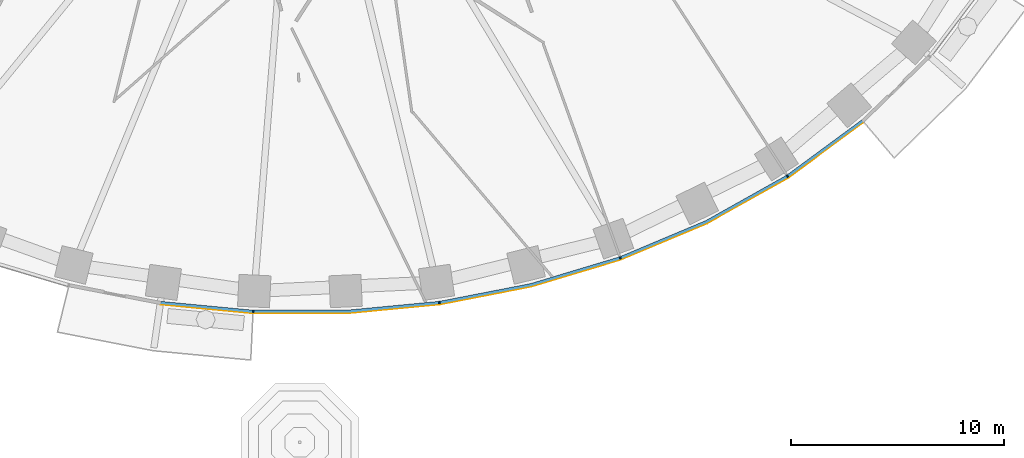
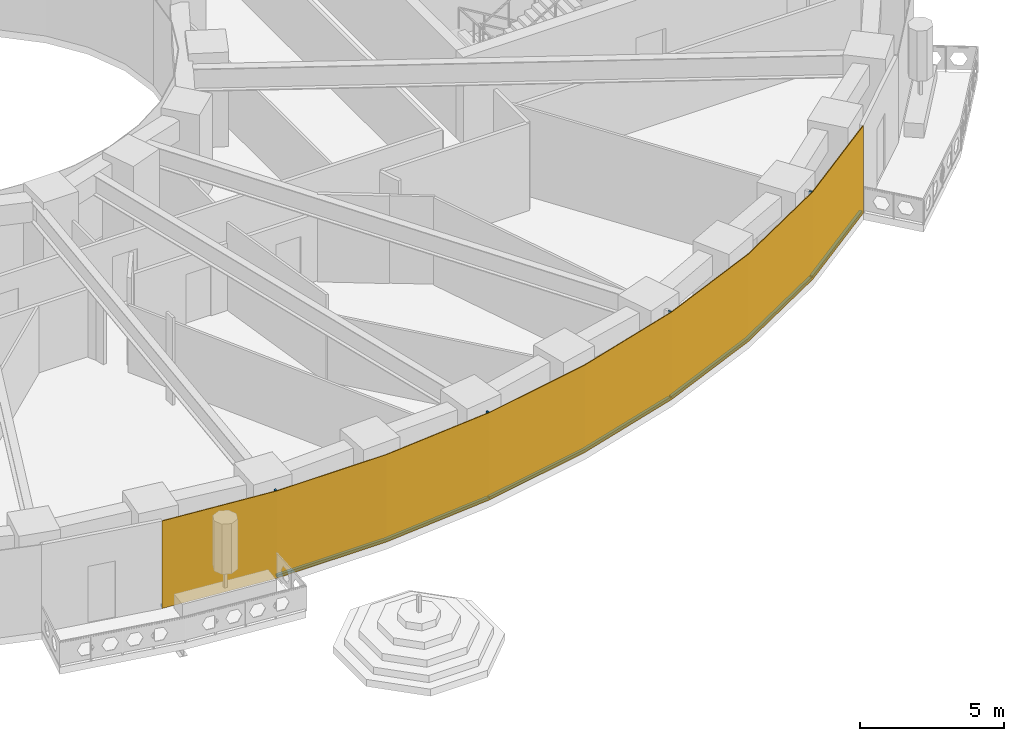
# One storey, part 9 of 20: 9 members, 1 curtain wall.
"""IFC4 building model written with IfcOpenShell, lengths in metres."""

from ifc_helpers import new_model, si_unit, direction, frame, origin, origin_2d, place, context, subcontext, project, spatial, polyline, rectangle, outline, extrude, material, layer, layer_set, material_profile, profile_set, type_object, element, aggregate, save


model = new_model("IFC4")

# Units and contexts
model_context = context("Model", 3, precision=1e-05, world=origin(), true_north=direction((0.0, 1.0)))
body_context = subcontext(model_context, "Body", "Model", "MODEL_VIEW")
ifc_project = project(units=[si_unit("LENGTHUNIT", "METRE"), si_unit("AREAUNIT", "SQUARE_METRE"), si_unit("VOLUMEUNIT", "CUBIC_METRE"), si_unit("PLANEANGLEUNIT", "RADIAN"), si_unit("MASSUNIT", "GRAM", prefix="KILO")], contexts=[model_context])

# Member
ifc_material_1 = material(Name="Aluminium 6063-T6 black anodised", Category="aluminium")
ifc_material_profile = material_profile(ifc_material_1, rectangle(XDim=0.1201171875, YDim=0.06005859375, at=origin_2d()), Name="120x60")
ifc_profile_set = profile_set([ifc_material_profile], Name="Aluminium 6063-T6 black anodised")
member_type_1 = type_object("IfcMemberType", Name="ENV-MULLION-A-120", PredefinedType="MULLION", material=ifc_profile_set)
site_placement = place(None, origin())
building_placement = place(site_placement, origin())
storey_placement = place(building_placement, frame((0.0, 0.0, 34.5)))
member_1_placement = place(storey_placement, frame((-2.188720703125, -27.856201171875, 0.0), z_axis=(0.0, 0.0, 1.0), x_axis=(0.047557873581, 0.998868484166, 0.0)))
member_1 = element("IfcMember", 1, at=member_1_placement, type_object=member_type_1, Name="Mullion A radial 35", PredefinedType="MULLION", context=body_context, shape_type="SweptSolid", body=[
    extrude(rectangle(XDim=0.1201171875, YDim=0.06005859375, at=origin_2d()), origin(), (0.0, 0.0, 1.0), 3.699951171875),
])

member_2_placement = place(storey_placement, frame((6.54638671875, -27.440185546875, 0.0), z_axis=(0.0, 0.0, 1.0), x_axis=(-0.143082012705, 0.989710835366, 0.0)))
member_2 = element("IfcMember", 2, at=member_2_placement, type_object=member_type_1, Name="Mullion A radial 37", PredefinedType="MULLION", context=body_context, shape_type="SweptSolid", body=[
    extrude(rectangle(XDim=0.1201171875, YDim=0.06005859375, at=origin_2d()), origin(), (0.0, 0.0, 1.0), 3.699951171875),
])

member_3_placement = place(storey_placement, frame((15.0341796875, -25.34375, 0.0), z_axis=(0.0, 0.0, 1.0), x_axis=(-0.338379256581, 0.941009818608, 0.0)))
member_3 = element("IfcMember", 3, at=member_3_placement, type_object=member_type_1, Name="Mullion A radial 39", PredefinedType="MULLION", context=body_context, shape_type="SweptSolid", body=[
    extrude(rectangle(XDim=0.1201171875, YDim=0.06005859375, at=origin_2d()), origin(), (0.0, 0.0, 1.0), 3.699951171875),
])

member_4_placement = place(storey_placement, frame((22.882568359375, -21.506591796875, 0.0), z_axis=(0.0, 0.0, 1.0), x_axis=(-0.542279153225, 0.840198381323, 0.0)))
member_4 = element("IfcMember", 4, at=member_4_placement, type_object=member_type_1, Name="Mullion A radial 41", PredefinedType="MULLION", context=body_context, shape_type="SweptSolid", body=[
    extrude(rectangle(XDim=0.1201171875, YDim=0.06005859375, at=origin_2d()), origin(), (0.0, 0.0, 1.0), 3.699951171875),
])

ifc_material_2 = material(Name="Aluminium 6063-T6 black anodised", Category="aluminium")
member_type_2 = type_object("IfcMemberType", Name="ENV-TRANSOM-A", PredefinedType="USERDEFINED", material=ifc_material_2)
member_5_placement = place(storey_placement, origin())
member_5 = element("IfcMember", 5, at=member_5_placement, type_object=member_type_2, Name="Transom A radial 34-35", ObjectType="TRANSOM", PredefinedType="USERDEFINED", context=body_context, shape_type="SweptSolid", body=[
    extrude(outline(polyline([(-6.53515625, -27.50146484375), (-2.219482421875, -27.913330078125), (-2.2138671875, -27.793212890625), (-6.51806640625, -27.382568359375), (-6.53515625, -27.50146484375)])), origin(), (0.0, 0.0, 1.0), 0.10009765625),
])

member_6_placement = place(storey_placement, origin())
member_6 = element("IfcMember", 6, at=member_6_placement, type_object=member_type_2, Name="Transom A radial 35-37", ObjectType="TRANSOM", PredefinedType="USERDEFINED", context=body_context, shape_type="SweptSolid", body=[
    extrude(outline(polyline([(-2.163818359375, -27.916015625), (2.191650390625, -27.916015625), (6.527099609375, -27.502197265625), (6.510009765625, -27.38330078125), (2.185791015625, -27.7958984375), (-2.157958984375, -27.7958984375), (-2.163818359375, -27.916015625)])), origin(), (0.0, 0.0, 1.0), 0.10009765625),
])

member_7_placement = place(storey_placement, origin())
member_7 = element("IfcMember", 7, at=member_7_placement, type_object=member_type_2, Name="Transom A radial 37-39", ObjectType="TRANSOM", PredefinedType="USERDEFINED", context=body_context, shape_type="SweptSolid", body=[
    extrude(outline(polyline([(6.58251953125, -27.494140625), (10.857666015625, -26.6630859375), (15.027587890625, -25.408203125), (14.987060546875, -25.295166015625), (10.828857421875, -26.54638671875), (6.5654296875, -27.375244140625), (6.58251953125, -27.494140625)])), origin(), (0.0, 0.0, 1.0), 0.10009765625),
])

member_8_placement = place(storey_placement, origin())
member_8 = element("IfcMember", 8, at=member_8_placement, type_object=member_type_2, Name="Transom A radial 39-41", ObjectType="TRANSOM", PredefinedType="USERDEFINED", context=body_context, shape_type="SweptSolid", body=[
    extrude(outline(polyline([(15.080322265625, -25.389404296875), (19.093994140625, -23.701416015625), (22.890625, -21.570556640625), (22.825439453125, -21.469482421875), (19.041259765625, -23.593505859375), (15.03955078125, -25.276123046875), (15.080322265625, -25.389404296875)])), origin(), (0.0, 0.0, 1.0), 0.10009765625),
])

member_9_placement = place(storey_placement, origin())
member_9 = element("IfcMember", 9, at=member_9_placement, type_object=member_type_2, Name="Transom A radial 41-42", ObjectType="TRANSOM", PredefinedType="USERDEFINED", context=body_context, shape_type="SweptSolid", body=[
    extrude(outline(polyline([(22.937744140625, -21.540283203125), (26.42626953125, -18.970703125), (26.348388671875, -18.87890625), (22.87255859375, -21.439208984375), (22.937744140625, -21.540283203125)])), origin(), (0.0, 0.0, 1.0), 0.10009765625),
])

# Site, building, storey
site = spatial("IfcSite", under=ifc_project, at=site_placement, CompositionType="ELEMENT")
building = spatial("IfcBuilding", under=site, at=building_placement, Name="Noorbagh Ring Tower", CompositionType="ELEMENT")
storey = spatial("IfcBuildingStorey", under=building, at=storey_placement, Name="L06", CompositionType="ELEMENT", Elevation=34.5)

# Curtain wall
ifc_material_3 = material(Name="Glass dark tinted laminated", Category="glass")
ifc_layer = layer(ifc_material_3, 0.031982421875)
ifc_layer_set = layer_set([ifc_layer], Name="Glass dark tinted laminated")
curtain_wall_type = type_object("IfcCurtainWallType", Name="ENV-CW-A", PredefinedType="NOTDEFINED", material=ifc_layer_set)
curtain_wall_placement = place(storey_placement, origin())
curtain_wall = element("IfcCurtainWall", 10, at=curtain_wall_placement, inside=storey, type_object=curtain_wall_type, Name="Curtain wall A R34", PredefinedType="NOTDEFINED", context=body_context, shape_type="SweptSolid", body=[
    extrude(outline(polyline([(-6.539794921875, -27.533203125), (-2.193115234375, -27.947998046875), (2.193115234375, -27.947998046875), (6.559814453125, -27.53125), (10.865234375, -26.6943359375), (15.065185546875, -25.430419921875), (19.108154296875, -23.730224609375), (22.9326171875, -21.583740234375), (26.447021484375, -18.9951171875), (26.42626953125, -18.970703125), (22.9150390625, -21.556884765625), (19.093994140625, -23.701416015625), (15.054443359375, -25.400146484375), (10.857666015625, -26.6630859375), (6.55517578125, -27.49951171875), (2.191650390625, -27.916015625), (-2.191650390625, -27.916015625), (-6.53515625, -27.50146484375), (-6.539794921875, -27.533203125)])), origin(), (0.0, 0.0, 1.0), 3.699951171875),
])

aggregate(curtain_wall, [member_1, member_2, member_3, member_4, member_5, member_6, member_7, member_8, member_9])

save(model, "model.ifc")
